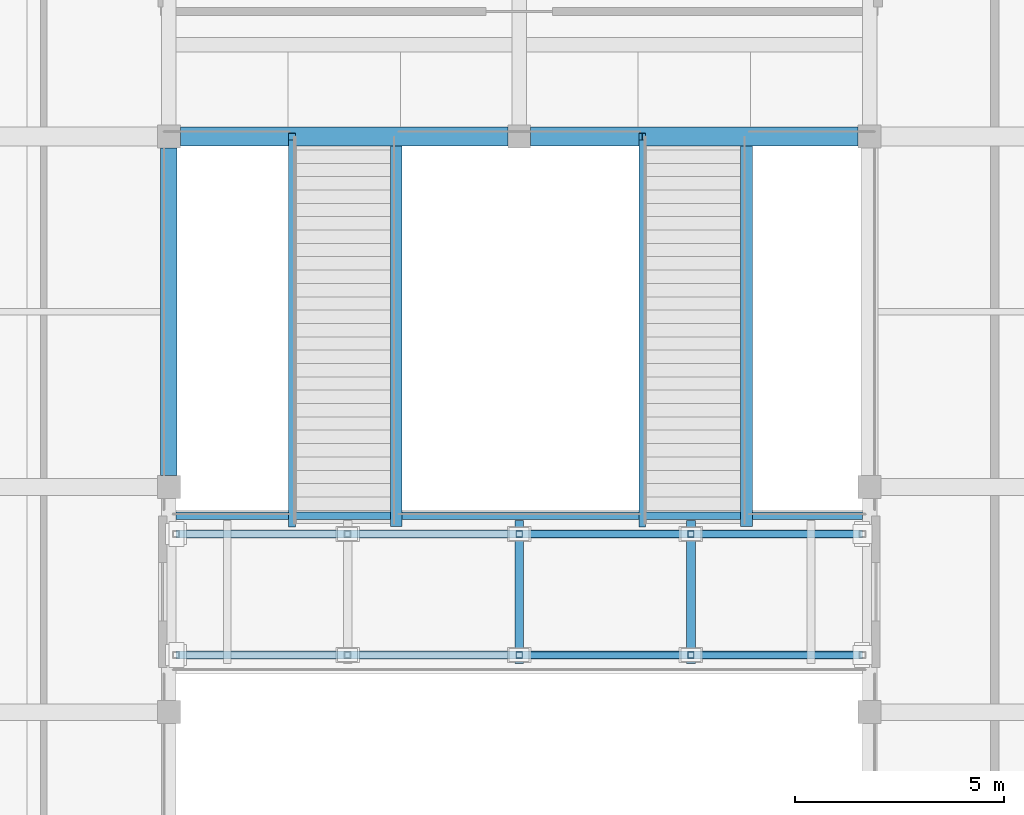
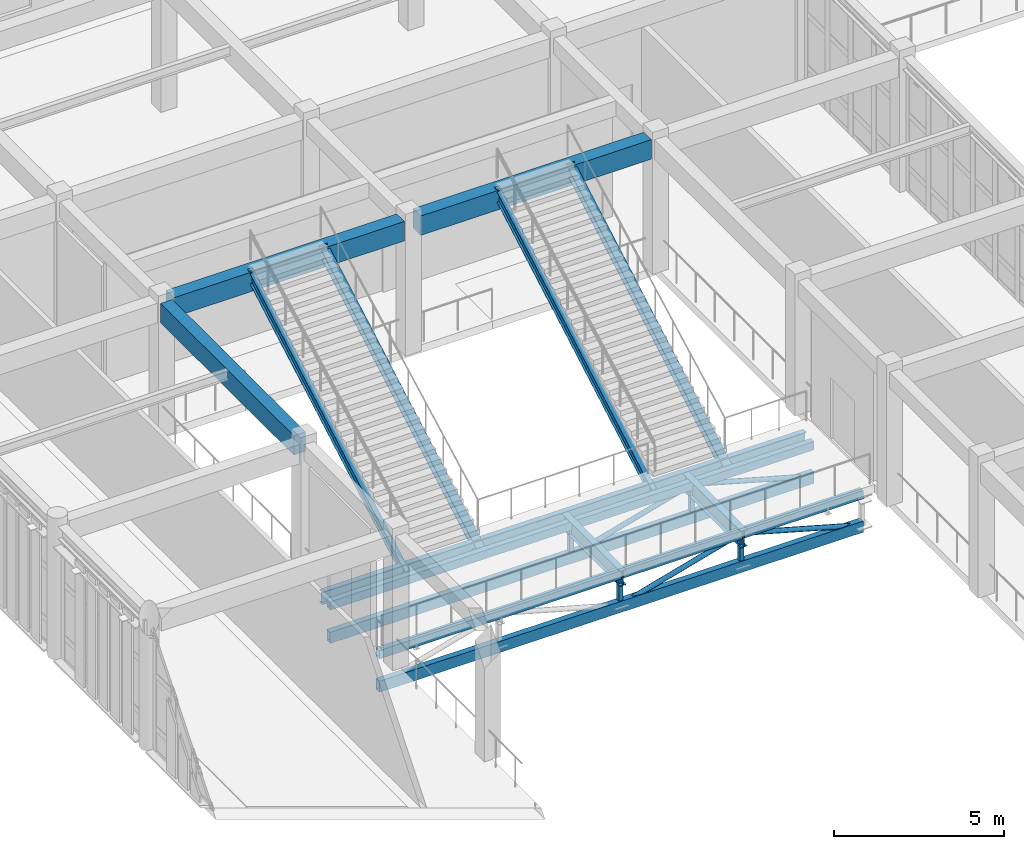
# One storey, part 33 of 93: 16 members, 6 beams.
"""IFC4 building model written with IfcOpenShell, lengths in metres."""

from ifc_helpers import new_model, si_unit, direction, frame, origin, origin_2d, place, context, subcontext, project, spatial, rectangle, hollow_rectangle, hollow_circle, i_section, extrude, material, material_profile, profile_set, type_object, element, save


model = new_model("IFC4")

# Units and contexts
model_context = context("Model", 3, precision=1e-05, world=origin(), true_north=direction((0.0, 1.0)))
body_context = subcontext(model_context, "Body", "Model", "MODEL_VIEW")
ifc_project = project(units=[si_unit("LENGTHUNIT", "METRE"), si_unit("AREAUNIT", "SQUARE_METRE"), si_unit("VOLUMEUNIT", "CUBIC_METRE"), si_unit("PLANEANGLEUNIT", "RADIAN"), si_unit("MASSUNIT", "GRAM", prefix="KILO")], contexts=[model_context])

# Site, building, storey
site_placement = place(None, origin())
site = spatial("IfcSite", under=ifc_project, at=site_placement, CompositionType="ELEMENT")
building_placement = place(site_placement, origin())
building = spatial("IfcBuilding", under=site, at=building_placement, Name="Krzemoval Escarpment Law Courts", CompositionType="ELEMENT")
storey_placement = place(building_placement, frame((0.0, 0.0, 10.199951171875)))
storey = spatial("IfcBuildingStorey", under=building, at=storey_placement, Name="L02", CompositionType="ELEMENT", Elevation=10.199951171875)

# Beams
ifc_material_1 = material(Name="Concrete C40/50", Category="concrete")
ifc_material_profile_1 = material_profile(ifc_material_1, rectangle(XDim=0.39990234375, YDim=0.699951171875, at=origin_2d()), Name="RCB 400x700")
ifc_profile_set_1 = profile_set([ifc_material_profile_1], Name="Concrete C40/50")
beam_type_1 = type_object("IfcBeamType", Name="BM-RC-400x700", PredefinedType="BEAM", material=ifc_profile_set_1)
beam_1_placement = place(storey_placement, frame((16.800048828125, 85.47509765625, 4.469970703125), z_axis=(0.0, 1.0, 0.0), x_axis=(-1.0, 0.0, 0.0)))
element("IfcBeam", 1, at=beam_1_placement, inside=storey, type_object=beam_type_1, Name="Beam FG-L02-1878", PredefinedType="BEAM", context=body_context, shape_type="SweptSolid", body=[
    extrude(rectangle(XDim=0.39990234375, YDim=0.699951171875, at=origin_2d()), origin(), (0.0, 0.0, 1.0), 7.849853515625),
])
ifc_material_2 = material(Name="Concrete C40/50", Category="concrete")
ifc_material_profile_2 = material_profile(ifc_material_2, rectangle(XDim=0.449951171875, YDim=0.699951171875, at=origin_2d()), Name="RCB 450x700")
ifc_profile_set_2 = profile_set([ifc_material_profile_2], Name="Concrete C40/50")
beam_type_2 = type_object("IfcBeamType", Name="BM-RC-450x700", PredefinedType="BEAM", material=ifc_profile_set_2)
beam_2_placement = place(storey_placement, frame((17.074951171875, 93.60009765625, 4.469970703125), z_axis=(1.0, 0.0, 0.0), x_axis=(0.0, 1.0, 0.0)))
element("IfcBeam", 2, at=beam_2_placement, inside=storey, type_object=beam_type_2, Name="Beam FG-L02-1809", PredefinedType="BEAM", context=body_context, shape_type="SweptSolid", body=[
    extrude(rectangle(XDim=0.449951171875, YDim=0.699951171875, at=origin_2d()), origin(), (0.0, 0.0, 1.0), 7.85009765625),
])
beam_3_placement = place(storey_placement, frame((25.47509765625, 93.60009765625, 4.469970703125), z_axis=(1.0, 0.0, 0.0), x_axis=(0.0, 1.0, 0.0)))
element("IfcBeam", 3, at=beam_3_placement, inside=storey, type_object=beam_type_2, Name="Beam FG-L02-1810", PredefinedType="BEAM", context=body_context, shape_type="SweptSolid", body=[
    extrude(rectangle(XDim=0.449951171875, YDim=0.699951171875, at=origin_2d()), origin(), (0.0, 0.0, 1.0), 7.849853515625),
])
ifc_material_3 = material(Name="Steel S355", Category="steel")
ifc_material_profile_3 = material_profile(ifc_material_3, i_section(OverallWidth=0.18994140625, OverallDepth=0.449951171875, WebThickness=0.009521484375, FlangeThickness=0.0146484375, at=origin_2d()), Name="IPE 450")
ifc_profile_set_3 = profile_set([ifc_material_profile_3], Name="Steel S355")
beam_type_3 = type_object("IfcBeamType", Name="BM-S355-IPE450", PredefinedType="BEAM", material=ifc_profile_set_3)
beam_4_placement = place(storey_placement, frame((16.969970703125, 84.510009765625, -0.52490234375), z_axis=(1.0, 0.0, 0.0), x_axis=(0.0, 1.0, 0.0)))
element("IfcBeam", 4, at=beam_4_placement, inside=storey, type_object=beam_type_3, Name="Sky-Bridge Stair Header Beam BSB-BRG-N-L02", PredefinedType="BEAM", context=body_context, shape_type="SweptSolid", body=[
    extrude(i_section(OverallWidth=0.18994140625, OverallDepth=0.449951171875, WebThickness=0.009521484375, FlangeThickness=0.0146484375, at=origin_2d()), origin(), (0.0, 0.0, 1.0), 16.4599609375),
])
ifc_material_4 = material(Name="Steel S355", Category="steel")
ifc_material_profile_4 = material_profile(ifc_material_4, i_section(OverallWidth=0.2099609375, OverallDepth=0.550048828125, WebThickness=0.010986328125, FlangeThickness=0.01708984375, at=origin_2d()), Name="IPE 550")
ifc_profile_set_4 = profile_set([ifc_material_profile_4], Name="Steel S355")
beam_type_4 = type_object("IfcBeamType", Name="BM-S355-IPE550", PredefinedType="BEAM", material=ifc_profile_set_4)
beam_5_placement = place(storey_placement, frame((25.199951171875, 80.969970703125, -0.574951171875), z_axis=(0.0, 1.0, 0.0), x_axis=(-1.0, 0.0, 0.0)))
element("IfcBeam", 5, at=beam_5_placement, inside=storey, type_object=beam_type_4, Name="Bridge Cross Beam BBMN-L02-03", PredefinedType="BEAM", context=body_context, shape_type="SweptSolid", body=[
    extrude(i_section(OverallWidth=0.2099609375, OverallDepth=0.550048828125, WebThickness=0.010986328125, FlangeThickness=0.01708984375, at=origin_2d()), origin(), (0.0, 0.0, 1.0), 3.429931640625),
])
ifc_material_5 = material(Name="Steel S355", Category="steel")
ifc_material_profile_5 = material_profile(ifc_material_5, i_section(OverallWidth=0.219970703125, OverallDepth=0.60009765625, WebThickness=0.011962890625, FlangeThickness=0.01904296875, at=origin_2d()), Name="IPE 600")
ifc_profile_set_5 = profile_set([ifc_material_profile_5], Name="Steel S355")
beam_type_5 = type_object("IfcBeamType", Name="BM-S355-IPE600", PredefinedType="BEAM", material=ifc_profile_set_5)
beam_6_placement = place(storey_placement, frame((29.31494140625, 80.969970703125, -0.599853515625), z_axis=(0.0, 1.0, 0.0), x_axis=(-1.0, 0.0, 0.0)))
element("IfcBeam", 6, at=beam_6_placement, inside=storey, type_object=beam_type_5, Name="Bridge Cross Beam BBMN-L02-04", PredefinedType="BEAM", context=body_context, shape_type="SweptSolid", body=[
    extrude(i_section(OverallWidth=0.219970703125, OverallDepth=0.60009765625, WebThickness=0.011962890625, FlangeThickness=0.01904296875, at=origin_2d()), origin(), (0.0, 0.0, 1.0), 3.429931640625),
])

# Members
ifc_material_6 = material(Name="Steel S355", Category="steel")
ifc_material_profile_6 = material_profile(ifc_material_6, hollow_circle(Radius=0.084228515625, WallThickness=0.008056640625, at=origin_2d()), Name="CHS 168.3x8")
ifc_profile_set_6 = profile_set([ifc_material_profile_6], Name="Steel S355")
member_type_1 = type_object("IfcMemberType", Name="MBR-BRC-CHS168", PredefinedType="BRACE", material=ifc_profile_set_6)
for number, where, z_axis, x_axis, name in (
    (7, (25.199951171875, 81.169921875, -1.669921875), (0.963103351061, 0.0, 0.269131817472), (0.0, 1.0, 0.0), "Bridge Truss Diagonal BBR-0187"),
    (8, (29.31494140625, 81.169921875, -0.52001953125), (0.963103351061, 0.0, -0.269131817472), (0.0, 1.0, 0.0), "Bridge Truss Diagonal BBR-0188"),
    (9, (25.199951171875, 84.070068359375, -1.669921875), (0.963103351061, 0.0, 0.269131817472), (0.0, 1.0, 0.0), "Bridge Truss Diagonal BBR-0198"),
    (10, (29.31494140625, 84.070068359375, -0.52001953125), (0.963103351061, 0.0, -0.269131817472), (0.0, 1.0, 0.0), "Bridge Truss Diagonal BBR-0199"),
):
    element("IfcMember", number, at=place(storey_placement, frame(where, z_axis=z_axis, x_axis=x_axis)), inside=storey, type_object=member_type_1, Name=name, PredefinedType="BRACE", context=body_context, shape_type="SweptSolid", body=[
        extrude(hollow_circle(Radius=0.084228515625, WallThickness=0.008056640625, at=origin_2d()), origin(), (0.0, 0.0, 1.0), 4.272705078125),
    ])
ifc_material_7 = material(Name="Steel S355", Category="steel")
ifc_material_profile_7 = material_profile(ifc_material_7, hollow_rectangle(XDim=0.199951171875, YDim=0.300048828125, WallThickness=0.012451171875, at=origin_2d()), Name="RHS 300x200x12.5")
ifc_profile_set_7 = profile_set([ifc_material_profile_7], Name="Steel S355")
member_type_2 = type_object("IfcMemberType", Name="MBR-CHD-RHS300", PredefinedType="CHORD", material=ifc_profile_set_7)
for number, where, z_axis, x_axis, name in (
    (11, (16.969970703125, 81.169921875, -0.52001953125), (1.0, 0.0, 0.0), (0.0, 1.0, 0.0), "Bridge Truss Chord BTC-0184"),
    (12, (16.969970703125, 84.070068359375, -0.52001953125), (1.0, 0.0, 0.0), (0.0, 1.0, 0.0), "Bridge Truss Chord BTC-0195"),
):
    element("IfcMember", number, at=place(storey_placement, frame(where, z_axis=z_axis, x_axis=x_axis)), inside=storey, type_object=member_type_2, Name=name, PredefinedType="CHORD", context=body_context, shape_type="SweptSolid", body=[
        extrude(hollow_rectangle(XDim=0.199951171875, YDim=0.300048828125, WallThickness=0.012451171875, at=origin_2d()), origin(), (0.0, 0.0, 1.0), 16.4599609375),
    ])
ifc_material_8 = material(Name="Steel S355", Category="steel")
ifc_material_profile_8 = material_profile(ifc_material_8, hollow_rectangle(XDim=0.199951171875, YDim=0.39990234375, WallThickness=0.012451171875, at=origin_2d()), Name="RHS 400x200x12.5")
ifc_profile_set_8 = profile_set([ifc_material_profile_8], Name="Steel S355")
member_type_3 = type_object("IfcMemberType", Name="MBR-CHD-RHS400", PredefinedType="CHORD", material=ifc_profile_set_8)
for number, where, z_axis, x_axis, name in (
    (13, (16.969970703125, 81.169921875, -1.669921875), (1.0, 0.0, 0.0), (0.0, 1.0, 0.0), "Bridge Truss Chord BTC-0183"),
    (14, (16.969970703125, 84.070068359375, -1.669921875), (1.0, 0.0, 0.0), (0.0, 1.0, 0.0), "Bridge Truss Chord BTC-0194"),
):
    element("IfcMember", number, at=place(storey_placement, frame(where, z_axis=z_axis, x_axis=x_axis)), inside=storey, type_object=member_type_3, Name=name, PredefinedType="CHORD", context=body_context, shape_type="SweptSolid", body=[
        extrude(hollow_rectangle(XDim=0.199951171875, YDim=0.39990234375, WallThickness=0.012451171875, at=origin_2d()), origin(), (0.0, 0.0, 1.0), 16.4599609375),
    ])
ifc_material_9 = material(Name="Steel S355", Category="steel")
ifc_material_profile_9 = material_profile(ifc_material_9, i_section(OverallWidth=0.280029296875, OverallDepth=0.280029296875, WebThickness=0.010498046875, FlangeThickness=0.01806640625, at=origin_2d()), Name="HEB 280")
ifc_profile_set_9 = profile_set([ifc_material_profile_9], Name="Steel S355")
member_type_4 = type_object("IfcMemberType", Name="MBR-STG-HEB280", PredefinedType="STRINGER", material=ifc_profile_set_9)
for number, where, z_axis, x_axis, name in (
    (15, (22.25, 84.320068359375, -0.550048828125), (0.0, 0.869566185126, 0.493816412936), (-1.0, 0.0, 0.0), "Stair Stringer STG-0280"),
    (16, (30.64990234375, 84.320068359375, -0.550048828125), (0.0, 0.869566185126, 0.493816412936), (-1.0, 0.0, 0.0), "Stair Stringer STG-0284"),
):
    element("IfcMember", number, at=place(storey_placement, frame(where, z_axis=z_axis, x_axis=x_axis)), inside=storey, type_object=member_type_4, Name=name, PredefinedType="STRINGER", context=body_context, shape_type="SweptSolid", body=[
        extrude(i_section(OverallWidth=0.280029296875, OverallDepth=0.280029296875, WebThickness=0.010498046875, FlangeThickness=0.01806640625, at=origin_2d()), origin(), (0.0, 0.0, 1.0), 10.672119140625),
    ])
ifc_material_10 = material(Name="Steel S355", Category="steel")
ifc_material_profile_10 = material_profile(ifc_material_10, i_section(OverallWidth=0.159912109375, OverallDepth=0.330078125, WebThickness=0.007568359375, FlangeThickness=0.011474609375, at=origin_2d()), Name="IPE 330")
ifc_profile_set_10 = profile_set([ifc_material_profile_10], Name="Steel S355")
member_type_5 = type_object("IfcMemberType", Name="MBR-STG-IPE330", PredefinedType="STRINGER", material=ifc_profile_set_10)
for number, where, z_axis, x_axis, name in (
    (17, (19.75, 84.320068359375, -0.550048828125), (0.0, 0.869566185126, 0.493816412936), (-1.0, 0.0, 0.0), "Stair Stringer STG-0279"),
    (18, (28.14990234375, 84.320068359375, -0.550048828125), (0.0, 0.869566185126, 0.493816412936), (-1.0, 0.0, 0.0), "Stair Stringer STG-0283"),
):
    element("IfcMember", number, at=place(storey_placement, frame(where, z_axis=z_axis, x_axis=x_axis)), inside=storey, type_object=member_type_5, Name=name, PredefinedType="STRINGER", context=body_context, shape_type="SweptSolid", body=[
        extrude(i_section(OverallWidth=0.159912109375, OverallDepth=0.330078125, WebThickness=0.007568359375, FlangeThickness=0.011474609375, at=origin_2d()), origin(), (0.0, 0.0, 1.0), 10.672119140625),
    ])
ifc_material_11 = material(Name="Steel S355", Category="steel")
ifc_material_profile_11 = material_profile(ifc_material_11, hollow_rectangle(XDim=0.14990234375, YDim=0.14990234375, WallThickness=0.008056640625, at=origin_2d()), Name="SHS 150x150x8")
ifc_profile_set_11 = profile_set([ifc_material_profile_11], Name="Steel S355")
member_type_6 = type_object("IfcMemberType", Name="MBR-STR-SHS150", PredefinedType="STRUT", material=ifc_profile_set_11)
for number, where, z_axis, x_axis, name in (
    (19, (25.199951171875, 81.169921875, -1.669921875), (0.0, 0.0, 1.0), (1.0, 0.0, 0.0), "Bridge Truss Strut BST-0191"),
    (20, (29.31494140625, 81.169921875, -1.669921875), (0.0, 0.0, 1.0), (1.0, 0.0, 0.0), "Bridge Truss Strut BST-0192"),
    (21, (25.199951171875, 84.070068359375, -1.669921875), (0.0, 0.0, 1.0), (1.0, 0.0, 0.0), "Bridge Truss Strut BST-0202"),
    (22, (29.31494140625, 84.070068359375, -1.669921875), (0.0, 0.0, 1.0), (1.0, 0.0, 0.0), "Bridge Truss Strut BST-0203"),
):
    element("IfcMember", number, at=place(storey_placement, frame(where, z_axis=z_axis, x_axis=x_axis)), inside=storey, type_object=member_type_6, Name=name, PredefinedType="STRUT", context=body_context, shape_type="SweptSolid", body=[
        extrude(hollow_rectangle(XDim=0.14990234375, YDim=0.14990234375, WallThickness=0.008056640625, at=origin_2d()), origin(), (0.0, 0.0, 1.0), 1.14990234375),
    ])

save(model, "model.ifc")
